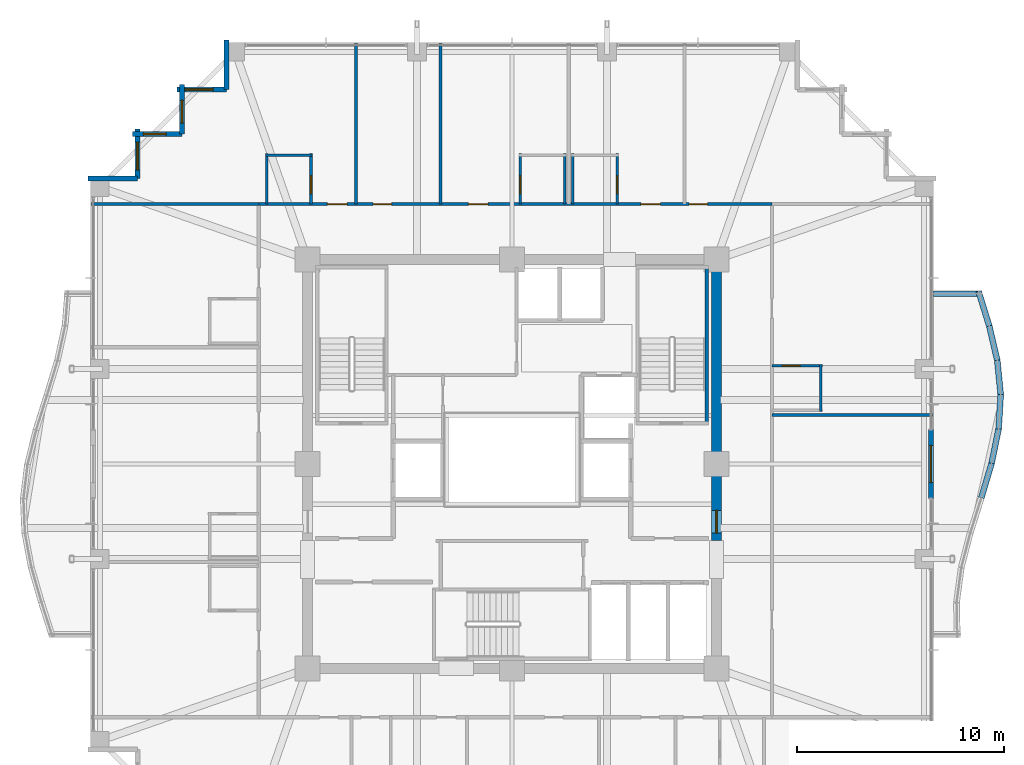
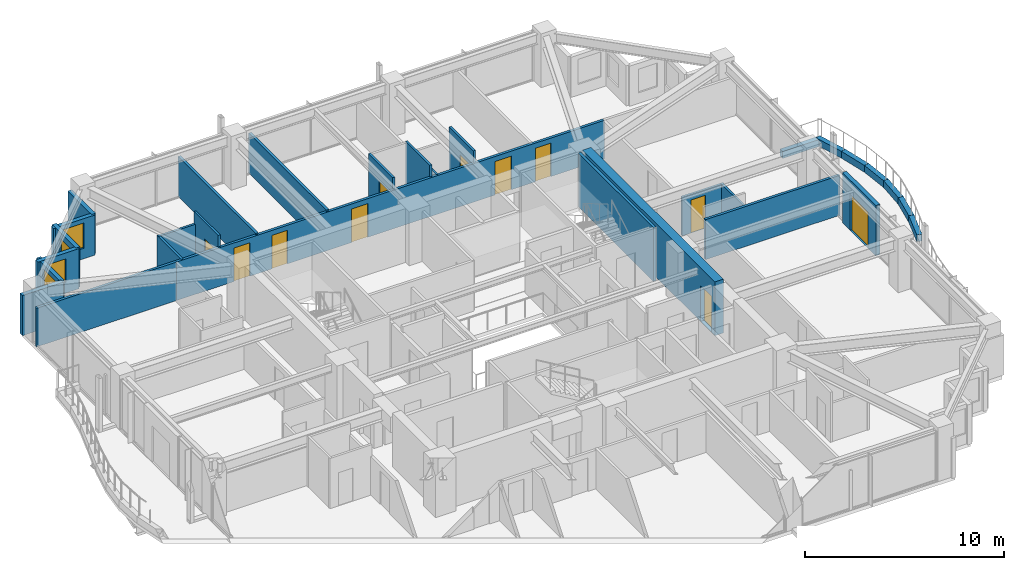
# One storey, part 32 of 35: 30 walls, 11 doors, 4 windows, 15 openings.
"""IFC4 building model written with IfcOpenShell, lengths in metres."""

from ifc_helpers import new_model, si_unit, direction, frame, frame_2d, origin, place, context, subcontext, project, spatial, rectangle, extrude, material, layer, layer_set, type_object, element, fill, save


model = new_model("IFC4")

# Units and contexts
model_context = context("Model", 3, precision=1e-05, world=origin(), true_north=direction((0.0, 1.0)))
body_context = subcontext(model_context, "Body", "Model", "MODEL_VIEW")
ifc_project = project(units=[si_unit("LENGTHUNIT", "METRE"), si_unit("AREAUNIT", "SQUARE_METRE"), si_unit("VOLUMEUNIT", "CUBIC_METRE"), si_unit("PLANEANGLEUNIT", "RADIAN"), si_unit("MASSUNIT", "GRAM", prefix="KILO")], contexts=[model_context])

# Site, building, storey
site_placement = place(None, origin())
site = spatial("IfcSite", under=ifc_project, at=site_placement, CompositionType="ELEMENT")
building_placement = place(site_placement, origin())
building = spatial("IfcBuilding", under=site, at=building_placement, Name="Kolvaren Belvedere", CompositionType="ELEMENT")
storey_placement = place(building_placement, frame((0.0, 0.0, 176.699951171875)))
storey = spatial("IfcBuildingStorey", under=building, at=storey_placement, Name="L51", CompositionType="ELEMENT", Elevation=176.699951171875)

# Wall, opening, door
ifc_material_1 = material(Name="Concrete C50/60", Category="concrete")
ifc_layer_1 = layer(ifc_material_1, 0.5)
ifc_layer_set_1 = layer_set([ifc_layer_1], Name="Concrete C50/60")
wall_type_1 = type_object("IfcWallType", Name="CW-CORE-500", PredefinedType="SHEAR", material=ifc_layer_set_1)
wall_1_placement = place(storey_placement, frame((9.89990234375, -3.699951171875, 0.0), z_axis=(0.0, 0.0, 1.0), x_axis=(0.0, 1.0, 0.0)))
wall_1 = element("IfcWall", 1, at=wall_1_placement, inside=storey, type_object=wall_type_1, Name="L51 East Core Shear Wall 2", PredefinedType="SHEAR", context=body_context, shape_type="SweptSolid", body=[
    extrude(rectangle(XDim=13.349853515625, YDim=0.5, at=frame_2d((6.6748046875, 0.0))), origin(), (0.0, 0.0, 1.0), 3.300048828125),
])
opening_1_placement = place(wall_1_placement, frame((0.35009765625, 0.0, 0.0)))
opening_1 = element("IfcOpeningElement", 2, at=opening_1_placement, cuts=wall_1, Name="Opening D-FD90", PredefinedType="OPENING", context=body_context, shape_type="SweptSolid", body=[
    extrude(rectangle(XDim=1.10009765625, YDim=2.199951171875, at=frame_2d((0.550048828125, 1.10009765625))), frame((0.0, 0.260009765625, 0.0), z_axis=(0.0, -1.0, 0.0), x_axis=(1.0, 0.0, 0.0)), (0.0, 0.0, 1.0), 0.52001953125),
])
ifc_material_2 = material(Name="Painted hollow stainless steel", Category="steel")
door_type_1 = type_object("IfcDoorType", Name="DR-FD90-1100", OperationType="NOTDEFINED", PredefinedType="DOOR", material=ifc_material_2)
door_1_placement = place(opening_1_placement, origin())
door_1 = element("IfcDoor", 3, at=door_1_placement, inside=storey, type_object=door_type_1, Name="L51 East Firefighting Lobby Fire Door", OperationType="SINGLE_SWING_RIGHT", OverallHeight=2.199951171875, OverallWidth=1.10009765625, PredefinedType="DOOR", context=body_context, shape_type="SweptSolid", body=[
    extrude(rectangle(XDim=1.10009765625, YDim=2.199951171875, at=frame_2d((0.550048828125, 1.10009765625))), frame((0.0, 0.02490234375, 0.0), z_axis=(0.0, -1.0, 0.0), x_axis=(1.0, 0.0, 0.0)), (0.0, 0.0, 1.0), 0.050048828125),
])
fill(opening_1, door_1)

# Wall
ifc_material_3 = material(Name="Concrete C50/60", Category="concrete")
ifc_layer_2 = layer(ifc_material_3, 0.159912109375)
ifc_layer_set_2 = layer_set([ifc_layer_2], Name="Concrete C50/60")
wall_type_2 = type_object("IfcWallType", Name="CW-STAIR-160", PredefinedType="SHEAR", material=ifc_layer_set_2)
wall_2_placement = place(storey_placement, frame((9.429931640625, 1.969970703125, 0.0), z_axis=(0.0, 0.0, 1.0), x_axis=(0.0, 1.0, 0.0)))
element("IfcWall", 4, at=wall_2_placement, inside=storey, type_object=wall_type_2, Name="L51 Stair ST-2 East Shear Wall", PredefinedType="SHEAR", context=body_context, shape_type="SweptSolid", body=[
    extrude(rectangle(XDim=7.56005859375, YDim=0.159912109375, at=frame_2d((3.780029296875, 0.0))), origin(), (0.0, 0.0, 1.0), 3.300048828125),
])

# Wall, openings, doors
ifc_material_4 = material(Name="Gypsum fire-rated partition assembly", Category="gypsum")
ifc_layer_3 = layer(ifc_material_4, 0.14990234375)
ifc_layer_set_3 = layer_set([ifc_layer_3], Name="Gypsum fire-rated partition assembly")
wall_type_3 = type_object("IfcWallType", Name="WL-CORR-150", PredefinedType="PARTITIONING", material=ifc_layer_set_3)
wall_3_placement = place(storey_placement, frame((-12.260009765625, 12.580078125, 0.0), z_axis=(0.0, 0.0, 1.0), x_axis=(1.0, 0.0, 0.0)))
wall_3 = element("IfcWall", 5, at=wall_3_placement, inside=storey, type_object=wall_type_3, Name="L51 North Corridor Wall", PredefinedType="PARTITIONING", context=body_context, shape_type="SweptSolid", body=[
    extrude(rectangle(XDim=24.840087890625, YDim=0.14990234375, at=frame_2d((12.419921875, 0.0))), origin(), (0.0, 0.0, 1.0), 2.369140625),
])
opening_2_placement = place(wall_3_placement, frame((3.322509765625, 0.0, 0.0)))
opening_2 = element("IfcOpeningElement", 6, at=opening_2_placement, cuts=wall_3, Name="Opening D-FD60", PredefinedType="OPENING", context=body_context, shape_type="SweptSolid", body=[
    extrude(rectangle(XDim=0.949951171875, YDim=2.06005859375, at=frame_2d((0.47509765625, 1.030029296875))), frame((0.0, 0.0849609375, 0.0), z_axis=(0.0, -1.0, 0.0), x_axis=(1.0, 0.0, 0.0)), (0.0, 0.0, 1.0), 0.169921875),
])
opening_3_placement = place(wall_3_placement, frame((5.5380859375, 0.0, 0.0)))
opening_3 = element("IfcOpeningElement", 7, at=opening_3_placement, cuts=wall_3, Name="Opening D-INT90", PredefinedType="OPENING", context=body_context, shape_type="SweptSolid", body=[
    extrude(rectangle(XDim=0.89990234375, YDim=2.06005859375, at=frame_2d((0.449951171875, 1.030029296875))), frame((0.0, 0.0849609375, 0.0), z_axis=(0.0, -1.0, 0.0), x_axis=(1.0, 0.0, 0.0)), (0.0, 0.0, 1.0), 0.169921875),
])
opening_4_placement = place(wall_3_placement, frame((10.153076171875, 0.0, 0.0)))
opening_4 = element("IfcOpeningElement", 8, at=opening_4_placement, cuts=wall_3, Name="Opening D-FD60", PredefinedType="OPENING", context=body_context, shape_type="SweptSolid", body=[
    extrude(rectangle(XDim=0.949951171875, YDim=2.06005859375, at=frame_2d((0.47509765625, 1.030029296875))), frame((0.0, 0.0849609375, 0.0), z_axis=(0.0, -1.0, 0.0), x_axis=(1.0, 0.0, 0.0)), (0.0, 0.0, 1.0), 0.169921875),
])
opening_5_placement = place(wall_3_placement, frame((18.4970703125, 0.0, 0.0)))
opening_5 = element("IfcOpeningElement", 9, at=opening_5_placement, cuts=wall_3, Name="Opening D-FD60", PredefinedType="OPENING", context=body_context, shape_type="SweptSolid", body=[
    extrude(rectangle(XDim=0.949951171875, YDim=2.06005859375, at=frame_2d((0.47509765625, 1.030029296875))), frame((0.0, 0.0849609375, 0.0), z_axis=(0.0, -1.0, 0.0), x_axis=(1.0, 0.0, 0.0)), (0.0, 0.0, 1.0), 0.169921875),
])
opening_6_placement = place(wall_3_placement, frame((20.835693359375, 0.0, 0.0)))
opening_6 = element("IfcOpeningElement", 10, at=opening_6_placement, cuts=wall_3, Name="Opening D-INT90", PredefinedType="OPENING", context=body_context, shape_type="SweptSolid", body=[
    extrude(rectangle(XDim=0.89990234375, YDim=2.06005859375, at=frame_2d((0.449951171875, 1.030029296875))), frame((0.0, 0.0849609375, 0.0), z_axis=(0.0, -1.0, 0.0), x_axis=(1.0, 0.0, 0.0)), (0.0, 0.0, 1.0), 0.169921875),
])
ifc_material_5 = material(Name="Acoustic white-oak fire door leaf", Category="timber")
door_type_2 = type_object("IfcDoorType", Name="DR-FD60-950", OperationType="NOTDEFINED", PredefinedType="DOOR", material=ifc_material_5)
door_2_placement = place(opening_2_placement, origin())
door_2 = element("IfcDoor", 11, at=door_2_placement, inside=storey, type_object=door_type_2, Name="L51 Deluxe King Guest Room 5110 Entry Door", OperationType="SINGLE_SWING_RIGHT", OverallHeight=2.06005859375, OverallWidth=0.949951171875, PredefinedType="DOOR", context=body_context, shape_type="SweptSolid", body=[
    extrude(rectangle(XDim=0.949951171875, YDim=2.06005859375, at=frame_2d((0.47509765625, 1.030029296875))), frame((0.0, 0.02490234375, 0.0), z_axis=(0.0, -1.0, 0.0), x_axis=(1.0, 0.0, 0.0)), (0.0, 0.0, 1.0), 0.050048828125),
])
fill(opening_2, door_2)
door_3_placement = place(opening_4_placement, origin())
door_3 = element("IfcDoor", 12, at=door_3_placement, inside=storey, type_object=door_type_2, Name="L51 Deluxe King Guest Room 5112 Entry Door", OperationType="SINGLE_SWING_LEFT", OverallHeight=2.06005859375, OverallWidth=0.949951171875, PredefinedType="DOOR", context=body_context, shape_type="SweptSolid", body=[
    extrude(rectangle(XDim=0.949951171875, YDim=2.06005859375, at=frame_2d((0.47509765625, 1.030029296875))), frame((0.0, 0.02490234375, 0.0), z_axis=(0.0, -1.0, 0.0), x_axis=(1.0, 0.0, 0.0)), (0.0, 0.0, 1.0), 0.050048828125),
])
fill(opening_4, door_3)
door_4_placement = place(opening_5_placement, origin())
door_4 = element("IfcDoor", 13, at=door_4_placement, inside=storey, type_object=door_type_2, Name="L51 Twin Guest Room 5113 Entry Door", OperationType="SINGLE_SWING_LEFT", OverallHeight=2.06005859375, OverallWidth=0.949951171875, PredefinedType="DOOR", context=body_context, shape_type="SweptSolid", body=[
    extrude(rectangle(XDim=0.949951171875, YDim=2.06005859375, at=frame_2d((0.47509765625, 1.030029296875))), frame((0.0, 0.02490234375, 0.0), z_axis=(0.0, -1.0, 0.0), x_axis=(1.0, 0.0, 0.0)), (0.0, 0.0, 1.0), 0.050048828125),
])
fill(opening_5, door_4)
ifc_material_6 = material(Name="Stained Pacific white oak", Category="timber")
door_type_3 = type_object("IfcDoorType", Name="DR-INT-900", OperationType="NOTDEFINED", PredefinedType="DOOR", material=ifc_material_6)
door_5_placement = place(opening_3_placement, origin())
door_5 = element("IfcDoor", 14, at=door_5_placement, inside=storey, type_object=door_type_3, Name="L51 Lounge 5111 Door", OperationType="SINGLE_SWING_LEFT", OverallHeight=2.06005859375, OverallWidth=0.89990234375, PredefinedType="DOOR", context=body_context, shape_type="SweptSolid", body=[
    extrude(rectangle(XDim=0.89990234375, YDim=2.06005859375, at=frame_2d((0.449951171875, 1.030029296875))), frame((0.0, 0.02490234375, 0.0), z_axis=(0.0, -1.0, 0.0), x_axis=(1.0, 0.0, 0.0)), (0.0, 0.0, 1.0), 0.050048828125),
])
fill(opening_3, door_5)
door_6_placement = place(opening_6_placement, origin())
door_6 = element("IfcDoor", 15, at=door_6_placement, inside=storey, type_object=door_type_3, Name="L51 Lounge 5114 Door", OperationType="SINGLE_SWING_RIGHT", OverallHeight=2.06005859375, OverallWidth=0.89990234375, PredefinedType="DOOR", context=body_context, shape_type="SweptSolid", body=[
    extrude(rectangle(XDim=0.89990234375, YDim=2.06005859375, at=frame_2d((0.449951171875, 1.030029296875))), frame((0.0, 0.02490234375, 0.0), z_axis=(0.0, -1.0, 0.0), x_axis=(1.0, 0.0, 0.0)), (0.0, 0.0, 1.0), 0.050048828125),
])
fill(opening_6, door_6)

# Wall, opening, door
ifc_material_7 = material(Name="Insulated pale-metal facade wall assembly", Category="aluminium")
ifc_layer_4 = layer(ifc_material_7, 0.239990234375)
ifc_layer_set_4 = layer_set([ifc_layer_4], Name="Insulated pale-metal facade wall assembly")
wall_type_4 = type_object("IfcWallType", Name="WL-EXT-240", PredefinedType="STANDARD", material=ifc_layer_set_4)
wall_4_placement = place(storey_placement, frame((20.280029296875, 1.679931640625, 0.0), z_axis=(0.0, 0.0, 1.0), x_axis=(0.0, -1.0, 0.0)))
wall_4 = element("IfcWall", 16, at=wall_4_placement, inside=storey, type_object=wall_type_4, Name="L51 East Terrace Portal Wall", PredefinedType="STANDARD", context=body_context, shape_type="SweptSolid", body=[
    extrude(rectangle(XDim=3.35986328125, YDim=0.239990234375, at=frame_2d((1.679931640625, 0.0))), origin(), (0.0, 0.0, 1.0), 3.080078125),
])
opening_7_placement = place(wall_4_placement, frame((0.780029296875, 0.0, 0.0)))
opening_7 = element("IfcOpeningElement", 17, at=opening_7_placement, cuts=wall_4, Name="Opening DB-1800", PredefinedType="OPENING", context=body_context, shape_type="SweptSolid", body=[
    extrude(rectangle(XDim=1.800048828125, YDim=2.199951171875, at=frame_2d((0.89990234375, 1.10009765625))), frame((0.0, 0.1298828125, 0.0), z_axis=(0.0, -1.0, 0.0), x_axis=(1.0, 0.0, 0.0)), (0.0, 0.0, 1.0), 0.260009765625),
])
ifc_material_8 = material(Name="Thermally broken pale-metal aluminium & low-iron glass", Category="aluminium")
door_type_4 = type_object("IfcDoorType", Name="DR-BAL-1800", OperationType="DOUBLE_DOOR_SLIDING", PredefinedType="DOOR", material=ifc_material_8)
door_7_placement = place(opening_7_placement, origin())
door_7 = element("IfcDoor", 18, at=door_7_placement, inside=storey, type_object=door_type_4, Name="L51 East Planted Terrace Sliding Door", OperationType="DOUBLE_DOOR_SLIDING", OverallHeight=2.199951171875, OverallWidth=1.800048828125, PredefinedType="DOOR", context=body_context, shape_type="SweptSolid", body=[
    extrude(rectangle(XDim=1.800048828125, YDim=2.199951171875, at=frame_2d((0.89990234375, 1.10009765625))), frame((0.0, 0.02490234375, 0.0), z_axis=(0.0, -1.0, 0.0), x_axis=(1.0, 0.0, 0.0)), (0.0, 0.0, 1.0), 0.050048828125),
])
fill(opening_7, door_7)

# Wall
wall_5_placement = place(storey_placement, frame((-13.830078125, 18.1298828125, 0.0), z_axis=(0.0, 0.0, 1.0), x_axis=(0.0, 1.0, 0.0)))
element("IfcWall", 19, at=wall_5_placement, inside=storey, type_object=wall_type_4, Name="L51 Serrated Corner Facade Wall 16", PredefinedType="STANDARD", context=body_context, shape_type="SweptSolid", body=[
    extrude(rectangle(XDim=2.39013671875, YDim=0.239990234375, at=frame_2d((1.195068359375, 0.0))), origin(), (0.0, 0.0, 1.0), 2.463134765625),
])

# Wall, opening, window
wall_6_placement = place(storey_placement, frame((-16.219970703125, 18.1298828125, 0.0), z_axis=(0.0, 0.0, 1.0), x_axis=(1.0, 0.0, 0.0)))
wall_6 = element("IfcWall", 20, at=wall_6_placement, inside=storey, type_object=wall_type_4, Name="L51 Serrated Corner Facade Wall 17", PredefinedType="STANDARD", context=body_context, shape_type="SweptSolid", body=[
    extrude(rectangle(XDim=2.389892578125, YDim=0.239990234375, at=frame_2d((1.19482421875, 0.0))), origin(), (0.0, 0.0, 1.0), 2.463134765625),
])
opening_8_placement = place(wall_6_placement, frame((0.39990234375, 0.0, 0.64990234375)))
opening_8 = element("IfcOpeningElement", 21, at=opening_8_placement, cuts=wall_6, Name="Opening W-1350", PredefinedType="OPENING", context=body_context, shape_type="SweptSolid", body=[
    extrude(rectangle(XDim=1.35009765625, YDim=1.550048828125, at=frame_2d((0.675048828125, 0.77490234375))), frame((0.0, 0.1298828125, 0.0), z_axis=(0.0, -1.0, 0.0), x_axis=(1.0, 0.0, 0.0)), (0.0, 0.0, 1.0), 0.260009765625),
])
ifc_material_9 = material(Name="Low-iron triple insulated glass", Category="glass")
window_type_1 = type_object("IfcWindowType", Name="WN-CORN-1350", PartitioningType="SINGLE_PANEL", PredefinedType="WINDOW", material=ifc_material_9)
window_1_placement = place(opening_8_placement, origin())
window_1 = element("IfcWindow", 22, at=window_1_placement, inside=storey, type_object=window_type_1, Name="L51 Serrated Corner Vision Window 17", OverallHeight=1.550048828125, OverallWidth=1.35009765625, PartitioningType="SINGLE_PANEL", PredefinedType="WINDOW", context=body_context, shape_type="SweptSolid", body=[
    extrude(rectangle(XDim=1.35009765625, YDim=1.550048828125, at=frame_2d((0.675048828125, 0.77490234375))), frame((0.0, 0.030029296875, 0.0), z_axis=(0.0, -1.0, 0.0), x_axis=(1.0, 0.0, 0.0)), (0.0, 0.0, 1.0), 0.06005859375),
])
fill(opening_8, window_1)

wall_7_placement = place(storey_placement, frame((-15.97998046875, 15.97998046875, 0.0), z_axis=(0.0, 0.0, 1.0), x_axis=(0.0, 1.0, 0.0)))
wall_7 = element("IfcWall", 23, at=wall_7_placement, inside=storey, type_object=wall_type_4, Name="L51 Serrated Corner Facade Wall 18", PredefinedType="STANDARD", context=body_context, shape_type="SweptSolid", body=[
    extrude(rectangle(XDim=2.39013671875, YDim=0.239990234375, at=frame_2d((1.195068359375, 0.0))), origin(), (0.0, 0.0, 1.0), 2.463134765625),
])
opening_9_placement = place(wall_7_placement, frame((0.52490234375, 0.0, 0.64990234375)))
opening_9 = element("IfcOpeningElement", 24, at=opening_9_placement, cuts=wall_7, Name="Opening W-1100", PredefinedType="OPENING", context=body_context, shape_type="SweptSolid", body=[
    extrude(rectangle(XDim=1.10009765625, YDim=1.449951171875, at=frame_2d((0.550048828125, 0.72509765625))), frame((0.0, 0.1298828125, 0.0), z_axis=(0.0, -1.0, 0.0), x_axis=(1.0, 0.0, 0.0)), (0.0, 0.0, 1.0), 0.260009765625),
])
ifc_material_10 = material(Name="Low-iron triple insulated glass", Category="glass")
window_type_2 = type_object("IfcWindowType", Name="WN-CORN-1100", PartitioningType="SINGLE_PANEL", PredefinedType="WINDOW", material=ifc_material_10)
window_2_placement = place(opening_9_placement, origin())
window_2 = element("IfcWindow", 25, at=window_2_placement, inside=storey, type_object=window_type_2, Name="L51 Serrated Corner Vision Window 18", OverallHeight=1.449951171875, OverallWidth=1.10009765625, PartitioningType="SINGLE_PANEL", PredefinedType="WINDOW", context=body_context, shape_type="SweptSolid", body=[
    extrude(rectangle(XDim=1.10009765625, YDim=1.449951171875, at=frame_2d((0.550048828125, 0.72509765625))), frame((0.0, 0.030029296875, 0.0), z_axis=(0.0, -1.0, 0.0), x_axis=(1.0, 0.0, 0.0)), (0.0, 0.0, 1.0), 0.06005859375),
])
fill(opening_9, window_2)

wall_8_placement = place(storey_placement, frame((-18.3701171875, 15.97998046875, 0.0), z_axis=(0.0, 0.0, 1.0), x_axis=(1.0, 0.0, 0.0)))
wall_8 = element("IfcWall", 26, at=wall_8_placement, inside=storey, type_object=wall_type_4, Name="L51 Serrated Corner Facade Wall 19", PredefinedType="STANDARD", context=body_context, shape_type="SweptSolid", body=[
    extrude(rectangle(XDim=2.39013671875, YDim=0.239990234375, at=frame_2d((1.195068359375, 0.0))), origin(), (0.0, 0.0, 1.0), 2.463134765625),
])
opening_10_placement = place(wall_8_placement, frame((0.52490234375, 0.0, 0.64990234375)))
opening_10 = element("IfcOpeningElement", 27, at=opening_10_placement, cuts=wall_8, Name="Opening W-1100", PredefinedType="OPENING", context=body_context, shape_type="SweptSolid", body=[
    extrude(rectangle(XDim=1.10009765625, YDim=1.449951171875, at=frame_2d((0.550048828125, 0.72509765625))), frame((0.0, 0.1298828125, 0.0), z_axis=(0.0, -1.0, 0.0), x_axis=(1.0, 0.0, 0.0)), (0.0, 0.0, 1.0), 0.260009765625),
])
window_3_placement = place(opening_10_placement, origin())
window_3 = element("IfcWindow", 28, at=window_3_placement, inside=storey, type_object=window_type_2, Name="L51 Serrated Corner Vision Window 19", OverallHeight=1.449951171875, OverallWidth=1.10009765625, PartitioningType="SINGLE_PANEL", PredefinedType="WINDOW", context=body_context, shape_type="SweptSolid", body=[
    extrude(rectangle(XDim=1.10009765625, YDim=1.449951171875, at=frame_2d((0.550048828125, 0.72509765625))), frame((0.0, 0.030029296875, 0.0), z_axis=(0.0, -1.0, 0.0), x_axis=(1.0, 0.0, 0.0)), (0.0, 0.0, 1.0), 0.06005859375),
])
fill(opening_10, window_3)

wall_9_placement = place(storey_placement, frame((-18.1298828125, 13.830078125, 0.0), z_axis=(0.0, 0.0, 1.0), x_axis=(0.0, 1.0, 0.0)))
wall_9 = element("IfcWall", 29, at=wall_9_placement, inside=storey, type_object=wall_type_4, Name="L51 Serrated Corner Facade Wall 20", PredefinedType="STANDARD", context=body_context, shape_type="SweptSolid", body=[
    extrude(rectangle(XDim=2.389892578125, YDim=0.239990234375, at=frame_2d((1.19482421875, 0.0))), origin(), (0.0, 0.0, 1.0), 2.463134765625),
])
opening_11_placement = place(wall_9_placement, frame((0.39990234375, 0.0, 0.64990234375)))
opening_11 = element("IfcOpeningElement", 30, at=opening_11_placement, cuts=wall_9, Name="Opening W-1350", PredefinedType="OPENING", context=body_context, shape_type="SweptSolid", body=[
    extrude(rectangle(XDim=1.35009765625, YDim=1.550048828125, at=frame_2d((0.675048828125, 0.77490234375))), frame((0.0, 0.1298828125, 0.0), z_axis=(0.0, -1.0, 0.0), x_axis=(1.0, 0.0, 0.0)), (0.0, 0.0, 1.0), 0.260009765625),
])
window_4_placement = place(opening_11_placement, origin())
window_4 = element("IfcWindow", 31, at=window_4_placement, inside=storey, type_object=window_type_1, Name="L51 Serrated Corner Vision Window 20", OverallHeight=1.550048828125, OverallWidth=1.35009765625, PartitioningType="SINGLE_PANEL", PredefinedType="WINDOW", context=body_context, shape_type="SweptSolid", body=[
    extrude(rectangle(XDim=1.35009765625, YDim=1.550048828125, at=frame_2d((0.675048828125, 0.77490234375))), frame((0.0, 0.030029296875, 0.0), z_axis=(0.0, -1.0, 0.0), x_axis=(1.0, 0.0, 0.0)), (0.0, 0.0, 1.0), 0.06005859375),
])
fill(opening_11, window_4)

# Walls
wall_10_placement = place(storey_placement, frame((-20.52001953125, 13.830078125, 0.0), z_axis=(0.0, 0.0, 1.0), x_axis=(1.0, 0.0, 0.0)))
element("IfcWall", 32, at=wall_10_placement, inside=storey, type_object=wall_type_4, Name="L51 Serrated Corner Facade Wall 21", PredefinedType="STANDARD", context=body_context, shape_type="SweptSolid", body=[
    extrude(rectangle(XDim=2.39013671875, YDim=0.239990234375, at=frame_2d((1.195068359375, 0.0))), origin(), (0.0, 0.0, 1.0), 2.463134765625),
])
ifc_material_11 = material(Name="Gypsum acoustic partition assembly", Category="gypsum")
ifc_layer_5 = layer(ifc_material_11, 0.14990234375)
ifc_layer_set_5 = layer_set([ifc_layer_5], Name="Gypsum acoustic partition assembly")
wall_type_5 = type_object("IfcWallType", Name="WL-PART-150", PredefinedType="PARTITIONING", material=ifc_layer_set_5)
wall_11_placement = place(storey_placement, frame((-20.3798828125, 12.580078125, 0.0), z_axis=(0.0, 0.0, 1.0), x_axis=(1.0, 0.0, 0.0)))
element("IfcWall", 33, at=wall_11_placement, inside=storey, type_object=wall_type_5, Name="L51 Wing Divider PW-L51-QNW", PredefinedType="PARTITIONING", context=body_context, shape_type="SweptSolid", body=[
    extrude(rectangle(XDim=8.119873046875, YDim=0.14990234375, at=frame_2d((4.06005859375, 0.0))), origin(), (0.0, 0.0, 1.0), 2.369140625),
])
for number, where, z_axis, x_axis, name in (
    (34, (12.580078125, 2.3798828125, 0.0), (0.0, 0.0, 1.0), (1.0, 0.0, 0.0), "L51 East Suite Demising Wall 1"),
    (35, (-7.552001953125, 12.580078125, 0.0), (0.0, 0.0, 1.0), (0.0, 1.0, 0.0), "L51 North Suite Demising Wall 1"),
    (36, (-3.451904296875, 12.580078125, 0.0), (0.0, 0.0, 1.0), (0.0, 1.0, 0.0), "L51 North Suite Demising Wall 2"),
):
    element("IfcWall", number, at=place(storey_placement, frame(where, z_axis=z_axis, x_axis=x_axis)), inside=storey, type_object=wall_type_5, Name=name, PredefinedType="PARTITIONING", context=body_context, shape_type="SweptSolid", body=[
        extrude(rectangle(XDim=7.7998046875, YDim=0.14990234375, at=frame_2d((3.89990234375, 0.0))), origin(), (0.0, 0.0, 1.0), 2.453125),
    ])
ifc_material_12 = material(Name="Precast concrete C40/50", Category="concrete")
ifc_layer_6 = layer(ifc_material_12, 0.300048828125)
ifc_layer_set_6 = layer_set([ifc_layer_6], Name="Precast concrete C40/50")
wall_type_6 = type_object("IfcWallType", Name="WL-PLANTER-300", PredefinedType="PARAPET", material=ifc_layer_set_6)
wall_12_placement = place(storey_placement, frame((22.721923828125, -1.634521484375, -0.0400390625), z_axis=(0.0, 0.0, 1.0), x_axis=(0.284970268083, 0.958536356279, 0.0)))
element("IfcWall", 37, at=wall_12_placement, inside=storey, type_object=wall_type_6, Name="L51 Precast Structural Planter Wall BAL-E-5", PredefinedType="PARAPET", context=body_context, shape_type="SweptSolid", body=[
    extrude(rectangle(XDim=1.7529296875, YDim=0.280029296875, at=frame_2d((0.87646484375, 0.0))), origin(), (0.0, 0.0, 1.0), 0.420166015625),
])
wall_13_placement = place(storey_placement, frame((23.218017578125, 0.031982421875, -0.0400390625), z_axis=(0.0, 0.0, 1.0), x_axis=(0.199647526069, 0.979867779516, 0.0)))
element("IfcWall", 38, at=wall_13_placement, inside=storey, type_object=wall_type_6, Name="L51 Precast Structural Planter Wall BAL-E-6", PredefinedType="PARAPET", context=body_context, shape_type="SweptSolid", body=[
    extrude(rectangle(XDim=1.71435546875, YDim=0.280029296875, at=frame_2d((0.857177734375, 0.0))), origin(), (0.0, 0.0, 1.0), 0.420166015625),
])
wall_14_placement = place(storey_placement, frame((23.5576171875, 1.689697265625, -0.0400390625), z_axis=(0.0, 0.0, 1.0), x_axis=(0.061059932685, 0.998134101522, 0.0)))
element("IfcWall", 39, at=wall_14_placement, inside=storey, type_object=wall_type_6, Name="L51 Precast Structural Planter Wall BAL-E-7", PredefinedType="PARAPET", context=body_context, shape_type="SweptSolid", body=[
    extrude(rectangle(XDim=1.683349609375, YDim=0.280029296875, at=frame_2d((0.841796875, 0.0))), origin(), (0.0, 0.0, 1.0), 0.420166015625),
])
wall_15_placement = place(storey_placement, frame((23.660888671875, 3.343994140625, -0.0400390625), z_axis=(0.0, 0.0, 1.0), x_axis=(-0.099618240186, 0.995025731437, 0.0)))
element("IfcWall", 40, at=wall_15_placement, inside=storey, type_object=wall_type_6, Name="L51 Precast Structural Planter Wall BAL-E-8", PredefinedType="PARAPET", context=body_context, shape_type="SweptSolid", body=[
    extrude(rectangle(XDim=1.6884765625, YDim=0.280029296875, at=frame_2d((0.84423828125, 0.0))), origin(), (0.0, 0.0, 1.0), 0.420166015625),
])
wall_16_placement = place(storey_placement, frame((23.49609375, 5.003662109375, -0.0400390625), z_axis=(0.0, 0.0, 1.0), x_axis=(-0.227019323824, 0.973890253884, 0.0)))
element("IfcWall", 41, at=wall_16_placement, inside=storey, type_object=wall_type_6, Name="L51 Precast Structural Planter Wall BAL-E-9", PredefinedType="PARAPET", context=body_context, shape_type="SweptSolid", body=[
    extrude(rectangle(XDim=1.724853515625, YDim=0.280029296875, at=frame_2d((0.8623046875, 0.0))), origin(), (0.0, 0.0, 1.0), 0.420166015625),
])
wall_17_placement = place(storey_placement, frame((23.107421875, 6.672607421875, -0.0400390625), z_axis=(0.0, 0.0, 1.0), x_axis=(-0.29579229954, 0.955252278476, 0.0)))
element("IfcWall", 42, at=wall_17_placement, inside=storey, type_object=wall_type_6, Name="L51 Precast Structural Planter Wall BAL-E-10", PredefinedType="PARAPET", context=body_context, shape_type="SweptSolid", body=[
    extrude(rectangle(XDim=1.7587890625, YDim=0.280029296875, at=frame_2d((0.87939453125, 0.0))), origin(), (0.0, 0.0, 1.0), 0.420166015625),
])
wall_18_placement = place(storey_placement, frame((22.739990234375, 8.239990234375, -0.0400390625), z_axis=(0.0, 0.0, 1.0), x_axis=(-1.0, 0.0, 0.0)))
element("IfcWall", 43, at=wall_18_placement, inside=storey, type_object=wall_type_6, Name="L51 Precast Structural Planter Wall BAL-E-11", PredefinedType="PARAPET", context=body_context, shape_type="SweptSolid", body=[
    extrude(rectangle(XDim=2.340087890625, YDim=0.280029296875, at=frame_2d((1.169921875, 0.0))), origin(), (0.0, 0.0, 1.0), 0.420166015625),
])

# Wall, opening, door
ifc_material_13 = material(Name="Moisture-resistant gypsum partition", Category="gypsum")
ifc_layer_7 = layer(ifc_material_13, 0.125)
ifc_layer_set_7 = layer_set([ifc_layer_7], Name="Moisture-resistant gypsum partition")
wall_type_7 = type_object("IfcWallType", Name="WL-WET-125", PredefinedType="PARTITIONING", material=ifc_layer_set_7)
wall_19_placement = place(storey_placement, frame((12.594970703125, 4.759033203125, 0.0), z_axis=(0.0, 0.0, 1.0), x_axis=(1.0, 0.0, 0.0)))
wall_19 = element("IfcWall", 44, at=wall_19_placement, inside=storey, type_object=wall_type_7, Name="L51 Bathroom Partition PW-L51-BTH-6-N", PredefinedType="PARTITIONING", context=body_context, shape_type="SweptSolid", body=[
    extrude(rectangle(XDim=2.43994140625, YDim=0.125, at=frame_2d((1.219970703125, 0.0))), origin(), (0.0, 0.0, 1.0), 2.369140625),
])
opening_12_placement = place(wall_19_placement, frame((0.5, 0.0, 0.0)))
opening_12 = element("IfcOpeningElement", 45, at=opening_12_placement, cuts=wall_19, Name="Opening D-BTH85", PredefinedType="OPENING", context=body_context, shape_type="SweptSolid", body=[
    extrude(rectangle(XDim=0.85009765625, YDim=2.030029296875, at=frame_2d((0.425048828125, 1.01513671875))), frame((0.0, 0.072509765625, 0.0), z_axis=(0.0, -1.0, 0.0), x_axis=(1.0, 0.0, 0.0)), (0.0, 0.0, 1.0), 0.14501953125),
])
ifc_material_14 = material(Name="Moisture-sealed Pacific white oak", Category="timber")
door_type_5 = type_object("IfcDoorType", Name="DR-BATH-850", OperationType="NOTDEFINED", PredefinedType="DOOR", material=ifc_material_14)
door_8_placement = place(opening_12_placement, origin())
door_8 = element("IfcDoor", 46, at=door_8_placement, inside=storey, type_object=door_type_5, Name="L51 En-Suite Bathroom 5106 Door", OperationType="SINGLE_SWING_LEFT", OverallHeight=2.030029296875, OverallWidth=0.85009765625, PredefinedType="DOOR", context=body_context, shape_type="SweptSolid", body=[
    extrude(rectangle(XDim=0.85009765625, YDim=2.030029296875, at=frame_2d((0.425048828125, 1.01513671875))), frame((0.0, 0.02490234375, 0.0), z_axis=(0.0, -1.0, 0.0), x_axis=(1.0, 0.0, 0.0)), (0.0, 0.0, 1.0), 0.050048828125),
])
fill(opening_12, door_8)

# Wall
wall_20_placement = place(storey_placement, frame((14.955078125, 2.549072265625, 0.0), z_axis=(0.0, 0.0, 1.0), x_axis=(0.0, 1.0, 0.0)))
element("IfcWall", 47, at=wall_20_placement, inside=storey, type_object=wall_type_7, Name="L51 Bathroom Partition PW-L51-BTH-6-V", PredefinedType="PARTITIONING", context=body_context, shape_type="SweptSolid", body=[
    extrude(rectangle(XDim=2.27001953125, YDim=0.125, at=frame_2d((1.135009765625, 0.0))), origin(), (0.0, 0.0, 1.0), 2.369140625),
])

# Wall, opening, door
wall_21_placement = place(storey_placement, frame((-9.73095703125, 12.594970703125, 0.0), z_axis=(0.0, 0.0, 1.0), x_axis=(0.0, 1.0, 0.0)))
wall_21 = element("IfcWall", 48, at=wall_21_placement, inside=storey, type_object=wall_type_7, Name="L51 Bathroom Partition PW-L51-BTH-10-E", PredefinedType="PARTITIONING", context=body_context, shape_type="SweptSolid", body=[
    extrude(rectangle(XDim=2.43994140625, YDim=0.125, at=frame_2d((1.219970703125, 0.0))), origin(), (0.0, 0.0, 1.0), 3.080078125),
])
opening_13_placement = place(wall_21_placement, frame((0.5, 0.0, 0.0)))
opening_13 = element("IfcOpeningElement", 49, at=opening_13_placement, cuts=wall_21, Name="Opening D-BTH85", PredefinedType="OPENING", context=body_context, shape_type="SweptSolid", body=[
    extrude(rectangle(XDim=0.85009765625, YDim=2.030029296875, at=frame_2d((0.425048828125, 1.01513671875))), frame((0.0, 0.072509765625, 0.0), z_axis=(0.0, -1.0, 0.0), x_axis=(1.0, 0.0, 0.0)), (0.0, 0.0, 1.0), 0.14501953125),
])
door_9_placement = place(opening_13_placement, origin())
door_9 = element("IfcDoor", 50, at=door_9_placement, inside=storey, type_object=door_type_5, Name="L51 En-Suite Bathroom 5110 Door", OperationType="SINGLE_SWING_LEFT", OverallHeight=2.030029296875, OverallWidth=0.85009765625, PredefinedType="DOOR", context=body_context, shape_type="SweptSolid", body=[
    extrude(rectangle(XDim=0.85009765625, YDim=2.030029296875, at=frame_2d((0.425048828125, 1.01513671875))), frame((0.0, 0.02490234375, 0.0), z_axis=(0.0, -1.0, 0.0), x_axis=(1.0, 0.0, 0.0)), (0.0, 0.0, 1.0), 0.050048828125),
])
fill(opening_13, door_9)

# Walls
wall_22_placement = place(storey_placement, frame((-11.94091796875, 14.955078125, 0.0), z_axis=(0.0, 0.0, 1.0), x_axis=(1.0, 0.0, 0.0)))
element("IfcWall", 51, at=wall_22_placement, inside=storey, type_object=wall_type_7, Name="L51 Bathroom Partition PW-L51-BTH-10-H", PredefinedType="PARTITIONING", context=body_context, shape_type="SweptSolid", body=[
    extrude(rectangle(XDim=2.27001953125, YDim=0.125, at=frame_2d((1.135009765625, 0.0))), origin(), (0.0, 0.0, 1.0), 2.369140625),
])
wall_23_placement = place(storey_placement, frame((-11.881103515625, 12.594970703125, 0.0), z_axis=(0.0, 0.0, 1.0), x_axis=(0.0, 1.0, 0.0)))
element("IfcWall", 52, at=wall_23_placement, inside=storey, type_object=wall_type_7, Name="L51 Bathroom Partition PW-L51-BTH-10-W", PredefinedType="PARTITIONING", context=body_context, shape_type="SweptSolid", body=[
    extrude(rectangle(XDim=2.43994140625, YDim=0.125, at=frame_2d((1.219970703125, 0.0))), origin(), (0.0, 0.0, 1.0), 2.369140625),
])

# Wall, opening, door
wall_24_placement = place(storey_placement, frame((0.403076171875, 12.594970703125, 0.0), z_axis=(0.0, 0.0, 1.0), x_axis=(0.0, 1.0, 0.0)))
wall_24 = element("IfcWall", 53, at=wall_24_placement, inside=storey, type_object=wall_type_7, Name="L51 Bathroom Partition PW-L51-BTH-12-E", PredefinedType="PARTITIONING", context=body_context, shape_type="SweptSolid", body=[
    extrude(rectangle(XDim=2.43994140625, YDim=0.125, at=frame_2d((1.219970703125, 0.0))), origin(), (0.0, 0.0, 1.0), 3.080078125),
])
opening_14_placement = place(wall_24_placement, frame((0.5, 0.0, 0.0)))
opening_14 = element("IfcOpeningElement", 54, at=opening_14_placement, cuts=wall_24, Name="Opening D-BTH85", PredefinedType="OPENING", context=body_context, shape_type="SweptSolid", body=[
    extrude(rectangle(XDim=0.85009765625, YDim=2.030029296875, at=frame_2d((0.425048828125, 1.01513671875))), frame((0.0, 0.072509765625, 0.0), z_axis=(0.0, -1.0, 0.0), x_axis=(1.0, 0.0, 0.0)), (0.0, 0.0, 1.0), 0.14501953125),
])
door_10_placement = place(opening_14_placement, origin())
door_10 = element("IfcDoor", 55, at=door_10_placement, inside=storey, type_object=door_type_5, Name="L51 En-Suite Bathroom 5112 Door", OperationType="SINGLE_SWING_RIGHT", OverallHeight=2.030029296875, OverallWidth=0.85009765625, PredefinedType="DOOR", context=body_context, shape_type="SweptSolid", body=[
    extrude(rectangle(XDim=0.85009765625, YDim=2.030029296875, at=frame_2d((0.425048828125, 1.01513671875))), frame((0.0, 0.02490234375, 0.0), z_axis=(0.0, -1.0, 0.0), x_axis=(1.0, 0.0, 0.0)), (0.0, 0.0, 1.0), 0.050048828125),
])
fill(opening_14, door_10)

# Wall
wall_25_placement = place(storey_placement, frame((2.552978515625, 12.594970703125, 0.0), z_axis=(0.0, 0.0, 1.0), x_axis=(0.0, 1.0, 0.0)))
element("IfcWall", 56, at=wall_25_placement, inside=storey, type_object=wall_type_7, Name="L51 Bathroom Partition PW-L51-BTH-12-W", PredefinedType="PARTITIONING", context=body_context, shape_type="SweptSolid", body=[
    extrude(rectangle(XDim=2.43994140625, YDim=0.125, at=frame_2d((1.219970703125, 0.0))), origin(), (0.0, 0.0, 1.0), 3.080078125),
])

# Wall, opening, door
wall_26_placement = place(storey_placement, frame((5.093017578125, 12.594970703125, 0.0), z_axis=(0.0, 0.0, 1.0), x_axis=(0.0, 1.0, 0.0)))
wall_26 = element("IfcWall", 57, at=wall_26_placement, inside=storey, type_object=wall_type_7, Name="L51 Bathroom Partition PW-L51-BTH-13-E", PredefinedType="PARTITIONING", context=body_context, shape_type="SweptSolid", body=[
    extrude(rectangle(XDim=2.43994140625, YDim=0.125, at=frame_2d((1.219970703125, 0.0))), origin(), (0.0, 0.0, 1.0), 3.080078125),
])
opening_15_placement = place(wall_26_placement, frame((0.5, 0.0, 0.0)))
opening_15 = element("IfcOpeningElement", 58, at=opening_15_placement, cuts=wall_26, Name="Opening D-BTH85", PredefinedType="OPENING", context=body_context, shape_type="SweptSolid", body=[
    extrude(rectangle(XDim=0.85009765625, YDim=2.030029296875, at=frame_2d((0.425048828125, 1.01513671875))), frame((0.0, 0.072509765625, 0.0), z_axis=(0.0, -1.0, 0.0), x_axis=(1.0, 0.0, 0.0)), (0.0, 0.0, 1.0), 0.14501953125),
])
door_11_placement = place(opening_15_placement, origin())
door_11 = element("IfcDoor", 59, at=door_11_placement, inside=storey, type_object=door_type_5, Name="L51 En-Suite Bathroom 5113 Door", OperationType="SINGLE_SWING_RIGHT", OverallHeight=2.030029296875, OverallWidth=0.85009765625, PredefinedType="DOOR", context=body_context, shape_type="SweptSolid", body=[
    extrude(rectangle(XDim=0.85009765625, YDim=2.030029296875, at=frame_2d((0.425048828125, 1.01513671875))), frame((0.0, 0.02490234375, 0.0), z_axis=(0.0, -1.0, 0.0), x_axis=(1.0, 0.0, 0.0)), (0.0, 0.0, 1.0), 0.050048828125),
])
fill(opening_15, door_11)

# Wall
wall_27_placement = place(storey_placement, frame((2.943115234375, 12.594970703125, 0.0), z_axis=(0.0, 0.0, 1.0), x_axis=(0.0, 1.0, 0.0)))
element("IfcWall", 60, at=wall_27_placement, inside=storey, type_object=wall_type_7, Name="L51 Bathroom Partition PW-L51-BTH-13-W", PredefinedType="PARTITIONING", context=body_context, shape_type="SweptSolid", body=[
    extrude(rectangle(XDim=2.43994140625, YDim=0.125, at=frame_2d((1.219970703125, 0.0))), origin(), (0.0, 0.0, 1.0), 2.369140625),
])

save(model, "model.ifc")
